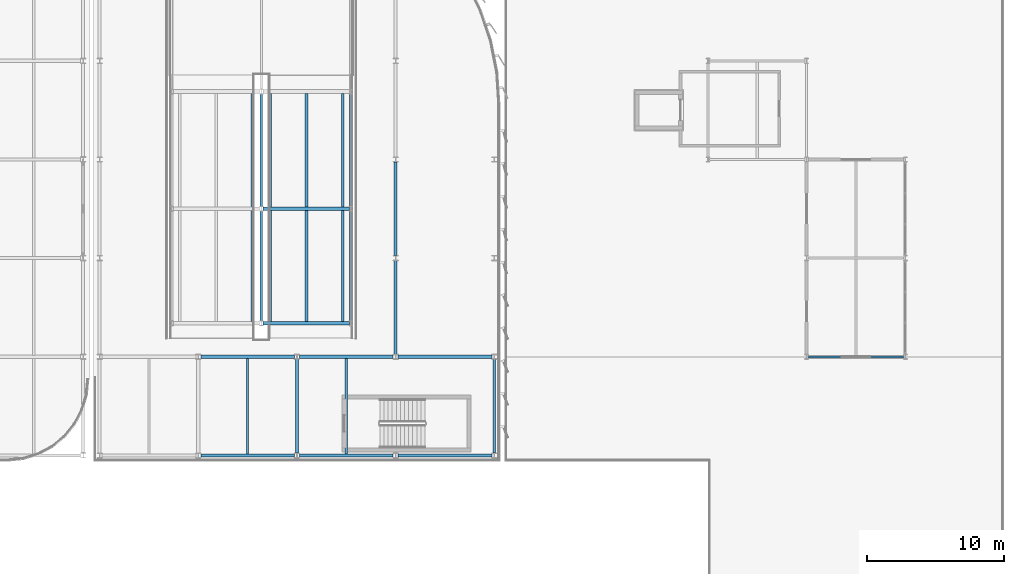
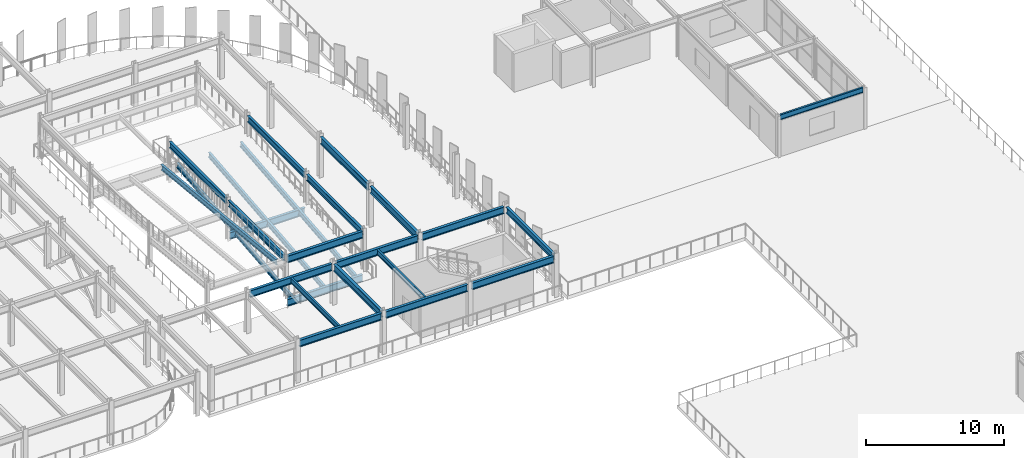
# One storey, part 23 of 52: 24 beams.
"""IFC4 building model written with IfcOpenShell, lengths in metres."""

from ifc_helpers import new_model, si_unit, direction, frame, origin, origin_2d, place, context, subcontext, project, spatial, i_section, extrude, material, material_profile, profile_set, type_object, element, save


model = new_model("IFC4")

# Units and contexts
model_context = context("Model", 3, precision=1e-05, world=origin(), true_north=direction((0.0, 1.0)))
body_context = subcontext(model_context, "Body", "Model", "MODEL_VIEW")
ifc_project = project(units=[si_unit("LENGTHUNIT", "METRE"), si_unit("AREAUNIT", "SQUARE_METRE"), si_unit("VOLUMEUNIT", "CUBIC_METRE"), si_unit("PLANEANGLEUNIT", "RADIAN"), si_unit("MASSUNIT", "GRAM", prefix="KILO")], contexts=[model_context])

# Site, building, storey
site_placement = place(None, origin())
site = spatial("IfcSite", under=ifc_project, at=site_placement, CompositionType="ELEMENT")
building_placement = place(site_placement, origin())
building = spatial("IfcBuilding", under=site, at=building_placement, Name="Vaelcorin Mobility Hub", CompositionType="ELEMENT")
storey_placement = place(building_placement, frame((0.0, 0.0, 13.199951171875)))
storey = spatial("IfcBuildingStorey", under=building, at=storey_placement, Name="L03", CompositionType="ELEMENT", Elevation=13.199951171875)

# Beams
ifc_material = material(Name="Steel ASTM A992 Grade 50", Category="steel")
ifc_material_profile_1 = material_profile(ifc_material, i_section(OverallWidth=0.152099609375, OverallDepth=0.455078125, WebThickness=0.008056640625, FlangeThickness=0.01318359375, FilletRadius=0.012939453125, at=origin_2d()), Name="W18X40")
ifc_profile_set_1 = profile_set([ifc_material_profile_1], Name="Steel ASTM A992 Grade 50")
beam_type_1 = type_object("IfcBeamType", Name="BM-W18X40", PredefinedType="JOIST", material=ifc_profile_set_1)
for number, where, z_axis, x_axis, name in (
    (1, (134.39990234375, 76.912109375, 3.423095703125), (0.0, 1.0, 0.0), (-1.0, 0.0, 0.0), "L03 Beam V2E-L03-J-02-01-1"),
    (2, (141.60009765625, 76.912109375, 3.423095703125), (0.0, 1.0, 0.0), (-1.0, 0.0, 0.0), "L03 Beam V2E-L03-J-03-01-1"),
):
    element("IfcBeam", number, at=place(storey_placement, frame(where, z_axis=z_axis, x_axis=x_axis)), inside=storey, type_object=beam_type_1, Name=name, PredefinedType="JOIST", context=body_context, shape_type="SweptSolid", body=[
        extrude(i_section(OverallWidth=0.152099609375, OverallDepth=0.455078125, WebThickness=0.008056640625, FlangeThickness=0.01318359375, FilletRadius=0.012939453125, at=origin_2d()), origin(), (0.0, 0.0, 1.0), 6.975830078125),
    ])
beam_1_placement = place(storey_placement, frame((175.324951171875, 84.0, 3.43212890625), z_axis=(1.0, 0.0, 0.0), x_axis=(0.0, 1.0, 0.0)))
element("IfcBeam", 3, at=beam_1_placement, inside=storey, type_object=beam_type_1, Name="L03 Beam V5GPAVN-L03-GX-01-01", PredefinedType="JOIST", context=body_context, shape_type="SweptSolid", body=[
    extrude(i_section(OverallWidth=0.152099609375, OverallDepth=0.455078125, WebThickness=0.008056640625, FlangeThickness=0.01318359375, FilletRadius=0.012939453125, at=origin_2d()), origin(), (0.0, 0.0, 1.0), 6.949951171875),
])
ifc_material_profile_2 = material_profile(ifc_material, i_section(OverallWidth=0.19091796875, OverallDepth=0.4599609375, WebThickness=0.010009765625, FlangeThickness=0.01611328125, FilletRadius=0.012939453125, at=origin_2d()), Name="W18X55")
ifc_profile_set_2 = profile_set([ifc_material_profile_2], Name="Steel ASTM A992 Grade 50")
beam_type_2 = type_object("IfcBeamType", Name="BM-W18X55", PredefinedType="JOIST", material=ifc_profile_set_2)
for number, where, z_axis, x_axis, name in (
    (4, (136.050048828125, 86.56005859375, -0.390869140625), (0.0, 0.994871619251, 0.101145742412), (-1.0, 0.0, 0.0), "Vehicle Ramp VR-2 L03 Flight 1 Stringer 1"),
    (5, (138.699951171875, 86.56005859375, -0.390869140625), (0.0, 0.994871619251, 0.101145742412), (-1.0, 0.0, 0.0), "Vehicle Ramp VR-2 L03 Flight 1 Stringer 2"),
    (6, (141.35009765625, 86.56005859375, -0.390869140625), (0.0, 0.994871619251, 0.101145742412), (-1.0, 0.0, 0.0), "Vehicle Ramp VR-2 L03 Flight 1 Stringer 3"),
    (7, (134.75, 103.239990234375, 1.570068359375), (0.0, -0.994876014241, 0.10110250387), (1.0, 0.0, 0.0), "Vehicle Ramp VR-2 L03 Flight 2 Stringer 3"),
):
    element("IfcBeam", number, at=place(storey_placement, frame(where, z_axis=z_axis, x_axis=x_axis)), inside=storey, type_object=beam_type_2, Name=name, PredefinedType="JOIST", context=body_context, shape_type="SweptSolid", body=[
        extrude(i_section(OverallWidth=0.19091796875, OverallDepth=0.4599609375, WebThickness=0.010009765625, FlangeThickness=0.01611328125, FilletRadius=0.012939453125, at=origin_2d()), origin(), (0.0, 0.0, 1.0), 16.765869140625),
    ])
ifc_material_profile_3 = material_profile(ifc_material, i_section(OverallWidth=0.2099609375, OverallDepth=0.535888671875, WebThickness=0.010986328125, FlangeThickness=0.017333984375, FilletRadius=0.013916015625, at=origin_2d()), Name="W21X68")
ifc_profile_set_3 = profile_set([ifc_material_profile_3], Name="Steel ASTM A992 Grade 50")
beam_type_3 = type_object("IfcBeamType", Name="BM-W21X68", PredefinedType="SPANDREL", material=ifc_profile_set_3)
beam_2_placement = place(storey_placement, frame((152.39990234375, 76.97607421875, 3.382080078125), z_axis=(0.0, 1.0, 0.0), x_axis=(-1.0, 0.0, 0.0)))
element("IfcBeam", 8, at=beam_2_placement, inside=storey, type_object=beam_type_3, Name="L03 Beam V2E-L03-GY-05-01", PredefinedType="SPANDREL", context=body_context, shape_type="SweptSolid", body=[
    extrude(i_section(OverallWidth=0.2099609375, OverallDepth=0.535888671875, WebThickness=0.010986328125, FlangeThickness=0.017333984375, FilletRadius=0.013916015625, at=origin_2d()), origin(), (0.0, 0.0, 1.0), 6.847900390625),
])
beam_3_placement = place(storey_placement, frame((135.39990234375, 86.625, 3.382080078125), z_axis=(0.0, 1.0, 0.0), x_axis=(-1.0, 0.0, 0.0)))
element("IfcBeam", 9, at=beam_3_placement, inside=storey, type_object=beam_type_3, Name="V2E Ramp Top Tie M1", PredefinedType="SPANDREL", context=body_context, shape_type="SweptSolid", body=[
    extrude(i_section(OverallWidth=0.2099609375, OverallDepth=0.535888671875, WebThickness=0.010986328125, FlangeThickness=0.017333984375, FilletRadius=0.013916015625, at=origin_2d()), origin(), (0.0, 0.0, 1.0), 8.0),
])
beam_4_placement = place(storey_placement, frame((135.39990234375, 94.97509765625, 3.382080078125), z_axis=(0.0, 1.0, 0.0), x_axis=(-1.0, 0.0, 0.0)))
element("IfcBeam", 10, at=beam_4_placement, inside=storey, type_object=beam_type_3, Name="V2E Ramp Top Tie M2", PredefinedType="SPANDREL", context=body_context, shape_type="SweptSolid", body=[
    extrude(i_section(OverallWidth=0.2099609375, OverallDepth=0.535888671875, WebThickness=0.010986328125, FlangeThickness=0.017333984375, FilletRadius=0.013916015625, at=origin_2d()), origin(), (0.0, 0.0, 1.0), 8.199951171875),
])
beam_5_placement = place(storey_placement, frame((141.949951171875, 86.625, 3.382080078125), z_axis=(0.0, 1.0, 0.0), x_axis=(-1.0, 0.0, 0.0)))
element("IfcBeam", 11, at=beam_5_placement, inside=storey, type_object=beam_type_3, Name="V2E Ramp Top Tie E1", PredefinedType="SPANDREL", context=body_context, shape_type="SweptSolid", body=[
    extrude(i_section(OverallWidth=0.2099609375, OverallDepth=0.535888671875, WebThickness=0.010986328125, FlangeThickness=0.017333984375, FilletRadius=0.013916015625, at=origin_2d()), origin(), (0.0, 0.0, 1.0), 8.0),
])
beam_6_placement = place(storey_placement, frame((141.949951171875, 94.97509765625, 3.382080078125), z_axis=(0.0, 1.0, 0.0), x_axis=(-1.0, 0.0, 0.0)))
element("IfcBeam", 12, at=beam_6_placement, inside=storey, type_object=beam_type_3, Name="V2E Ramp Top Tie E2", PredefinedType="SPANDREL", context=body_context, shape_type="SweptSolid", body=[
    extrude(i_section(OverallWidth=0.2099609375, OverallDepth=0.535888671875, WebThickness=0.010986328125, FlangeThickness=0.017333984375, FilletRadius=0.013916015625, at=origin_2d()), origin(), (0.0, 0.0, 1.0), 8.199951171875),
])
ifc_material_profile_4 = material_profile(ifc_material, i_section(OverallWidth=0.22802734375, OverallDepth=0.60205078125, WebThickness=0.010498046875, FlangeThickness=0.014892578125, FilletRadius=0.014892578125, at=origin_2d()), Name="W24X68")
ifc_profile_set_4 = profile_set([ifc_material_profile_4], Name="Steel ASTM A992 Grade 50")
beam_type_4 = type_object("IfcBeamType", Name="BM-W24X68", PredefinedType="SPANDREL", material=ifc_profile_set_4)
for number, where, z_axis, x_axis, name in (
    (13, (130.98193359375, 76.800048828125, 3.34912109375), (1.0, 0.0, 0.0), (0.0, 1.0, 0.0), "L03 Beam V2E-L03-GX-01-02"),
    (14, (138.181884765625, 76.800048828125, 3.34912109375), (1.0, 0.0, 0.0), (0.0, 1.0, 0.0), "L03 Beam V2E-L03-GX-01-03"),
):
    element("IfcBeam", number, at=place(storey_placement, frame(where, z_axis=z_axis, x_axis=x_axis)), inside=storey, type_object=beam_type_4, Name=name, PredefinedType="SPANDREL", context=body_context, shape_type="SweptSolid", body=[
        extrude(i_section(OverallWidth=0.22802734375, OverallDepth=0.60205078125, WebThickness=0.010498046875, FlangeThickness=0.014892578125, FilletRadius=0.014892578125, at=origin_2d()), origin(), (0.0, 0.0, 1.0), 6.836181640625),
    ])
beam_7_placement = place(storey_placement, frame((145.382080078125, 76.800048828125, 3.34912109375), z_axis=(1.0, 0.0, 0.0), x_axis=(0.0, 1.0, 0.0)))
element("IfcBeam", 15, at=beam_7_placement, inside=storey, type_object=beam_type_4, Name="L03 Beam V2E-L03-GX-01-04", PredefinedType="SPANDREL", context=body_context, shape_type="SweptSolid", body=[
    extrude(i_section(OverallWidth=0.22802734375, OverallDepth=0.60205078125, WebThickness=0.010498046875, FlangeThickness=0.014892578125, FilletRadius=0.014892578125, at=origin_2d()), origin(), (0.0, 0.0, 1.0), 6.8359375),
])
ifc_material_profile_5 = material_profile(ifc_material, i_section(OverallWidth=0.22900390625, OverallDepth=0.612060546875, WebThickness=0.011962890625, FlangeThickness=0.01953125, FilletRadius=0.014892578125, at=origin_2d()), Name="W24X84")
ifc_profile_set_5 = profile_set([ifc_material_profile_5], Name="Steel ASTM A992 Grade 50")
beam_type_5 = type_object("IfcBeamType", Name="BM-W24X84", PredefinedType="BEAM", material=ifc_profile_set_5)
for number, where, z_axis, x_axis, name in (
    (16, (130.98193359375, 84.0, 3.343994140625), (1.0, 0.0, 0.0), (0.0, 1.0, 0.0), "L03 Beam V2E-L03-GX-02-02"),
    (17, (138.181884765625, 84.0, 3.343994140625), (1.0, 0.0, 0.0), (0.0, 1.0, 0.0), "L03 Beam V2E-L03-GX-02-03"),
):
    element("IfcBeam", number, at=place(storey_placement, frame(where, z_axis=z_axis, x_axis=x_axis)), inside=storey, type_object=beam_type_5, Name=name, PredefinedType="BEAM", context=body_context, shape_type="SweptSolid", body=[
        extrude(i_section(OverallWidth=0.22900390625, OverallDepth=0.612060546875, WebThickness=0.011962890625, FlangeThickness=0.01953125, FilletRadius=0.014892578125, at=origin_2d()), origin(), (0.0, 0.0, 1.0), 6.836181640625),
    ])
beam_8_placement = place(storey_placement, frame((145.382080078125, 84.0, 3.343994140625), z_axis=(1.0, 0.0, 0.0), x_axis=(0.0, 1.0, 0.0)))
element("IfcBeam", 18, at=beam_8_placement, inside=storey, type_object=beam_type_5, Name="L03 Beam V2E-L03-GX-02-04", PredefinedType="BEAM", context=body_context, shape_type="SweptSolid", body=[
    extrude(i_section(OverallWidth=0.22900390625, OverallDepth=0.612060546875, WebThickness=0.011962890625, FlangeThickness=0.01953125, FilletRadius=0.014892578125, at=origin_2d()), origin(), (0.0, 0.0, 1.0), 6.8359375),
])
for number, where, z_axis, x_axis, name in (
    (19, (138.0, 76.97607421875, 3.343994140625), (0.0, 1.0, 0.0), (-1.0, 0.0, 0.0), "L03 Beam V2E-L03-GY-03-01"),
    (20, (145.199951171875, 84.176025390625, 3.343994140625), (0.0, 1.0, 0.0), (-1.0, 0.0, 0.0), "L03 Beam V2E-L03-GY-04-02"),
):
    element("IfcBeam", number, at=place(storey_placement, frame(where, z_axis=z_axis, x_axis=x_axis)), inside=storey, type_object=beam_type_5, Name=name, PredefinedType="BEAM", context=body_context, shape_type="SweptSolid", body=[
        extrude(i_section(OverallWidth=0.22900390625, OverallDepth=0.612060546875, WebThickness=0.011962890625, FlangeThickness=0.01953125, FilletRadius=0.014892578125, at=origin_2d()), origin(), (0.0, 0.0, 1.0), 6.847900390625),
    ])
beam_9_placement = place(storey_placement, frame((145.199951171875, 91.3759765625, 3.343994140625), z_axis=(0.0, 1.0, 0.0), x_axis=(-1.0, 0.0, 0.0)))
element("IfcBeam", 21, at=beam_9_placement, inside=storey, type_object=beam_type_5, Name="L03 Beam V2E-L03-GY-04-03", PredefinedType="BEAM", context=body_context, shape_type="SweptSolid", body=[
    extrude(i_section(OverallWidth=0.22900390625, OverallDepth=0.612060546875, WebThickness=0.011962890625, FlangeThickness=0.01953125, FilletRadius=0.014892578125, at=origin_2d()), origin(), (0.0, 0.0, 1.0), 6.84814453125),
])
for number, where, z_axis, x_axis, name in (
    (22, (135.530029296875, 86.449951171875, -0.4990234375), (1.0, 0.0, 0.0), (0.0, 1.0, 0.0), "Vehicle Ramp VR-2 L03 Bent Girder F1S"),
    (23, (135.530029296875, 94.800048828125, 0.35009765625), (1.0, 0.0, 0.0), (0.0, 1.0, 0.0), "Vehicle Ramp VR-2 L03 Bent Girder F1M"),
    (24, (135.530029296875, 86.449951171875, 3.343994140625), (1.0, 0.0, 0.0), (0.0, 1.0, 0.0), "V2E Ramp Top Tie Girder SE"),
):
    element("IfcBeam", number, at=place(storey_placement, frame(where, z_axis=z_axis, x_axis=x_axis)), inside=storey, type_object=beam_type_5, Name=name, PredefinedType="BEAM", context=body_context, shape_type="SweptSolid", body=[
        extrude(i_section(OverallWidth=0.22900390625, OverallDepth=0.612060546875, WebThickness=0.011962890625, FlangeThickness=0.01953125, FilletRadius=0.014892578125, at=origin_2d()), origin(), (0.0, 0.0, 1.0), 6.2900390625),
    ])

save(model, "model.ifc")
